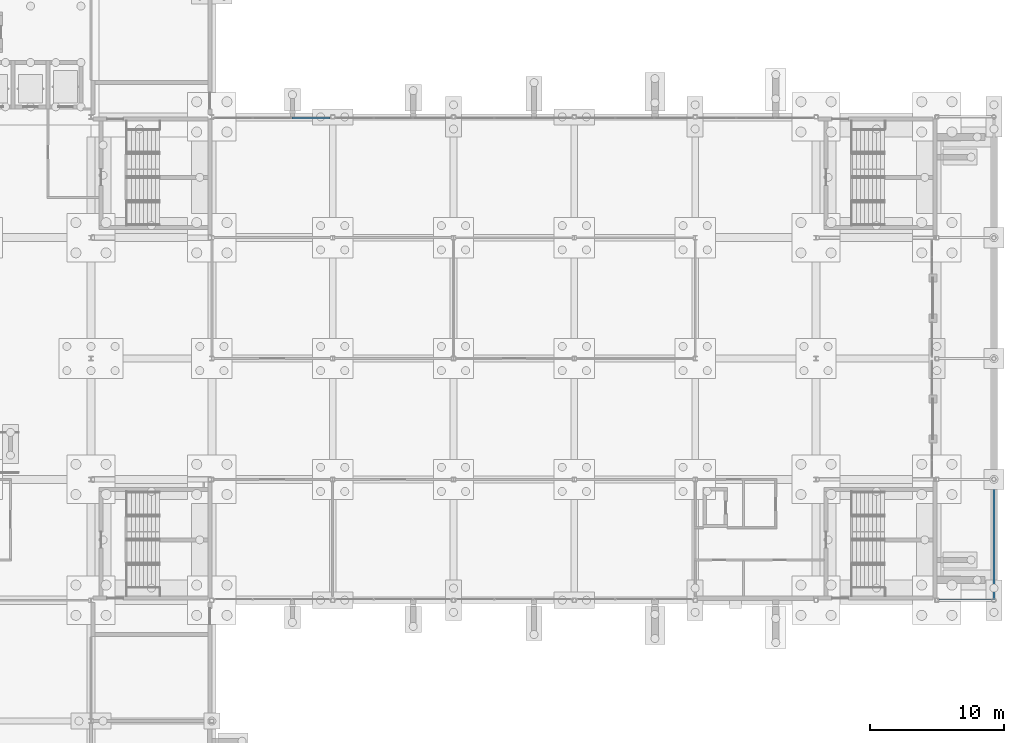
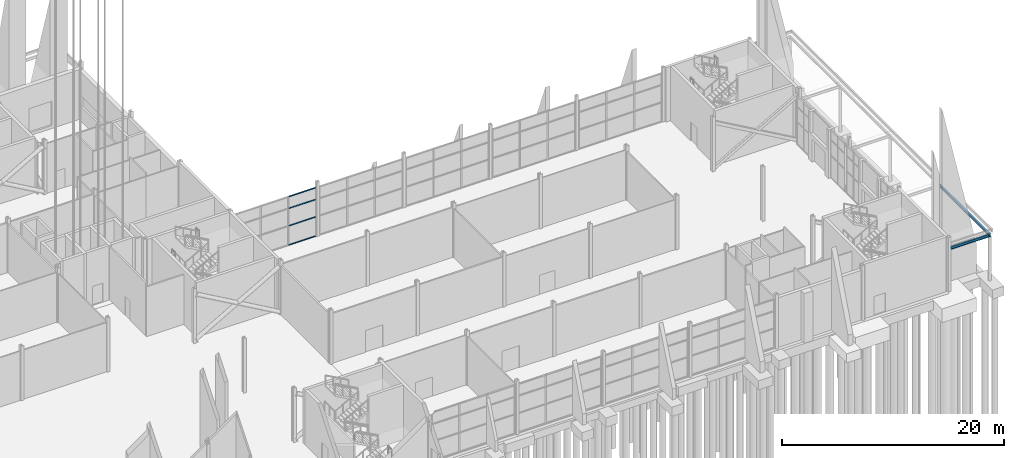
# One storey, part 81 of 139: 4 members, 2 beams, 1 element without a shape of its own.
"""IFC4 building model written with IfcOpenShell, lengths in metres."""

from ifc_helpers import new_model, si_unit, direction, frame, origin, origin_2d, place, context, subcontext, project, spatial, hollow_rectangle, i_section, extrude, material, layer, layer_set, material_profile, profile_set, type_object, element, aggregate, save


model = new_model("IFC4")

# Units and contexts
model_context = context("Model", 3, precision=1e-05, world=origin(), true_north=direction((0.0, 1.0)))
body_context = subcontext(model_context, "Body", "Model", "MODEL_VIEW")
ifc_project = project(units=[si_unit("LENGTHUNIT", "METRE"), si_unit("AREAUNIT", "SQUARE_METRE"), si_unit("VOLUMEUNIT", "CUBIC_METRE"), si_unit("PLANEANGLEUNIT", "RADIAN"), si_unit("MASSUNIT", "GRAM", prefix="KILO")], contexts=[model_context])

# Site, building, storey
site_placement = place(None, origin())
site = spatial("IfcSite", under=ifc_project, at=site_placement, CompositionType="ELEMENT")
building_placement = place(site_placement, origin())
building = spatial("IfcBuilding", under=site, at=building_placement, Name="Shorebreak Coast Museum", CompositionType="ELEMENT")
storey_placement = place(building_placement, origin())
storey = spatial("IfcBuildingStorey", under=building, at=storey_placement, Name="L00", CompositionType="ELEMENT", Elevation=0.0)

# Beams
ifc_material_1 = material(Name="Steel Grade 300", Category="steel")
ifc_material_profile_1 = material_profile(ifc_material_1, i_section(OverallWidth=0.14892578125, OverallDepth=0.298095703125, WebThickness=0.005615234375, FlangeThickness=0.008056640625, FilletRadius=0.012939453125, at=origin_2d()), Name="310UB32.0")
ifc_profile_set_1 = profile_set([ifc_material_profile_1], Name="Steel Grade 300")
beam_type_1 = type_object("IfcBeamType", Name="Arcade edge beam 310UB32.0", PredefinedType="BEAM", material=ifc_profile_set_1)
beam_1_placement = place(storey_placement, frame((175.25, 53.925537109375, 4.65087890625), z_axis=(0.0, 1.0, 0.0), x_axis=(-1.0, 0.0, 0.0)))
element("IfcBeam", 1, at=beam_1_placement, inside=storey, type_object=beam_type_1, Name="Arcade edge beam east 1", PredefinedType="BEAM", context=body_context, shape_type="SweptSolid", body=[
    extrude(i_section(OverallWidth=0.14892578125, OverallDepth=0.298095703125, WebThickness=0.005615234375, FlangeThickness=0.008056640625, FilletRadius=0.012939453125, at=origin_2d()), origin(), (0.0, 0.0, 1.0), 9.074462890625),
])
ifc_material_2 = material(Name="Steel Grade 300", Category="steel")
ifc_material_profile_2 = material_profile(ifc_material_2, i_section(OverallWidth=0.14892578125, OverallDepth=0.298095703125, WebThickness=0.005615234375, FlangeThickness=0.008056640625, FilletRadius=0.012939453125, at=origin_2d()), Name="310UB32.0")
ifc_profile_set_2 = profile_set([ifc_material_profile_2], Name="Steel Grade 300")
beam_type_2 = type_object("IfcBeamType", Name="Arcade primary beam 310UB32.0", PredefinedType="BEAM", material=ifc_profile_set_2)
beam_2_placement = place(storey_placement, frame((171.14990234375, 54.0, 4.65087890625), z_axis=(1.0, 0.0, 0.0), x_axis=(0.0, 1.0, 0.0)))
element("IfcBeam", 2, at=beam_2_placement, inside=storey, type_object=beam_type_2, Name="Arcade primary beam east 1", PredefinedType="BEAM", context=body_context, shape_type="SweptSolid", body=[
    extrude(i_section(OverallWidth=0.14892578125, OverallDepth=0.298095703125, WebThickness=0.005615234375, FlangeThickness=0.008056640625, FilletRadius=0.012939453125, at=origin_2d()), origin(), (0.0, 0.0, 1.0), 4.025634765625),
])

# Curtain wall, members
ifc_material_3 = material(Name="Aluminium", Category="aluminium")
ifc_layer = layer(ifc_material_3, 0.14990234375)
ifc_layer_set = layer_set([ifc_layer], Name="Aluminium")
curtain_wall_type = type_object("IfcCurtainWallType", Name="Storefront curtain wall", PredefinedType="NOTDEFINED", material=ifc_layer_set)
curtain_wall_placement = place(storey_placement, origin())
curtain_wall = element("IfcCurtainWall", 3, at=curtain_wall_placement, inside=storey, type_object=curtain_wall_type, Name="Storefront L00 N 2", PredefinedType="NOTDEFINED")
ifc_material_4 = material(Name="Aluminium", Category="aluminium")
ifc_material_profile_3 = material_profile(ifc_material_4, hollow_rectangle(XDim=0.14990234375, YDim=0.050048828125, WallThickness=0.00390625, at=origin_2d()), Name="AL 50x150 RHS")
ifc_profile_set_3 = profile_set([ifc_material_profile_3], Name="Aluminium")
member_type = type_object("IfcMemberType", Name="Storefront transom 150 x 50", PredefinedType="USERDEFINED", material=ifc_profile_set_3)
member_1_placement = place(storey_placement, frame((122.976806640625, 89.925048828125, 0.074951171875), z_axis=(1.0, 0.0, 0.0), x_axis=(0.0, 1.0, 0.0)))
member_1 = element("IfcMember", 4, at=member_1_placement, type_object=member_type, Name="CW8 transom 3.1", ObjectType="TRANSOM", PredefinedType="USERDEFINED", context=body_context, shape_type="SweptSolid", body=[
    extrude(hollow_rectangle(XDim=0.14990234375, YDim=0.050048828125, WallThickness=0.00390625, at=origin_2d()), origin(), (0.0, 0.0, 1.0), 2.8232421875),
])
member_2_placement = place(storey_placement, frame((122.976806640625, 89.925048828125, 2.187744140625), z_axis=(1.0, 0.0, 0.0), x_axis=(0.0, 1.0, 0.0)))
member_2 = element("IfcMember", 5, at=member_2_placement, type_object=member_type, Name="CW8 transom 3.2", ObjectType="TRANSOM", PredefinedType="USERDEFINED", context=body_context, shape_type="SweptSolid", body=[
    extrude(hollow_rectangle(XDim=0.14990234375, YDim=0.050048828125, WallThickness=0.00390625, at=origin_2d()), origin(), (0.0, 0.0, 1.0), 2.8232421875),
])
member_3_placement = place(storey_placement, frame((122.976806640625, 89.925048828125, 4.10205078125), z_axis=(1.0, 0.0, 0.0), x_axis=(0.0, 1.0, 0.0)))
member_3 = element("IfcMember", 6, at=member_3_placement, type_object=member_type, Name="CW8 transom 3.3", ObjectType="TRANSOM", PredefinedType="USERDEFINED", context=body_context, shape_type="SweptSolid", body=[
    extrude(hollow_rectangle(XDim=0.14990234375, YDim=0.050048828125, WallThickness=0.00390625, at=origin_2d()), origin(), (0.0, 0.0, 1.0), 2.8232421875),
])
member_4_placement = place(storey_placement, frame((122.976806640625, 89.925048828125, 5.394287109375), z_axis=(1.0, 0.0, 0.0), x_axis=(0.0, 1.0, 0.0)))
member_4 = element("IfcMember", 7, at=member_4_placement, type_object=member_type, Name="CW8 transom 3.4", ObjectType="TRANSOM", PredefinedType="USERDEFINED", context=body_context, shape_type="SweptSolid", body=[
    extrude(hollow_rectangle(XDim=0.14990234375, YDim=0.050048828125, WallThickness=0.00390625, at=origin_2d()), origin(), (0.0, 0.0, 1.0), 2.8232421875),
])
aggregate(curtain_wall, [member_1, member_2, member_3, member_4])

save(model, "model.ifc")
